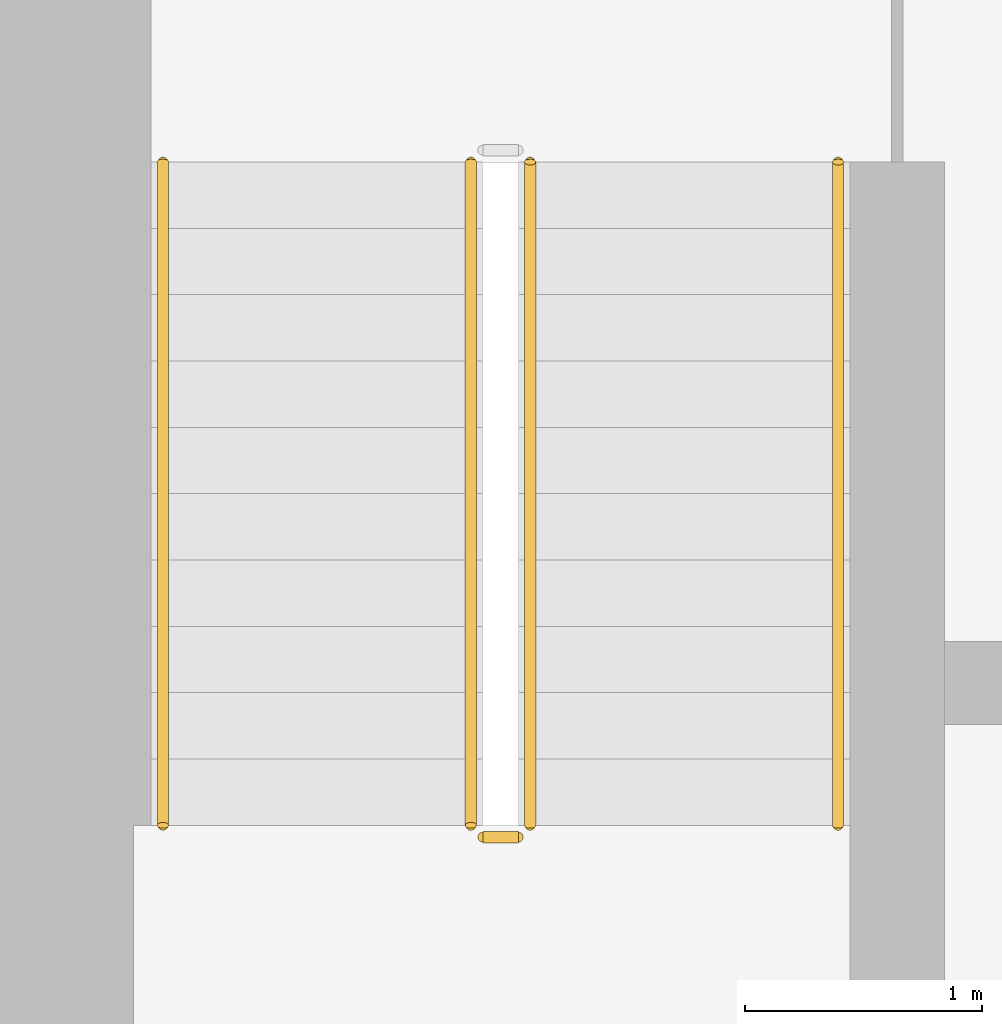
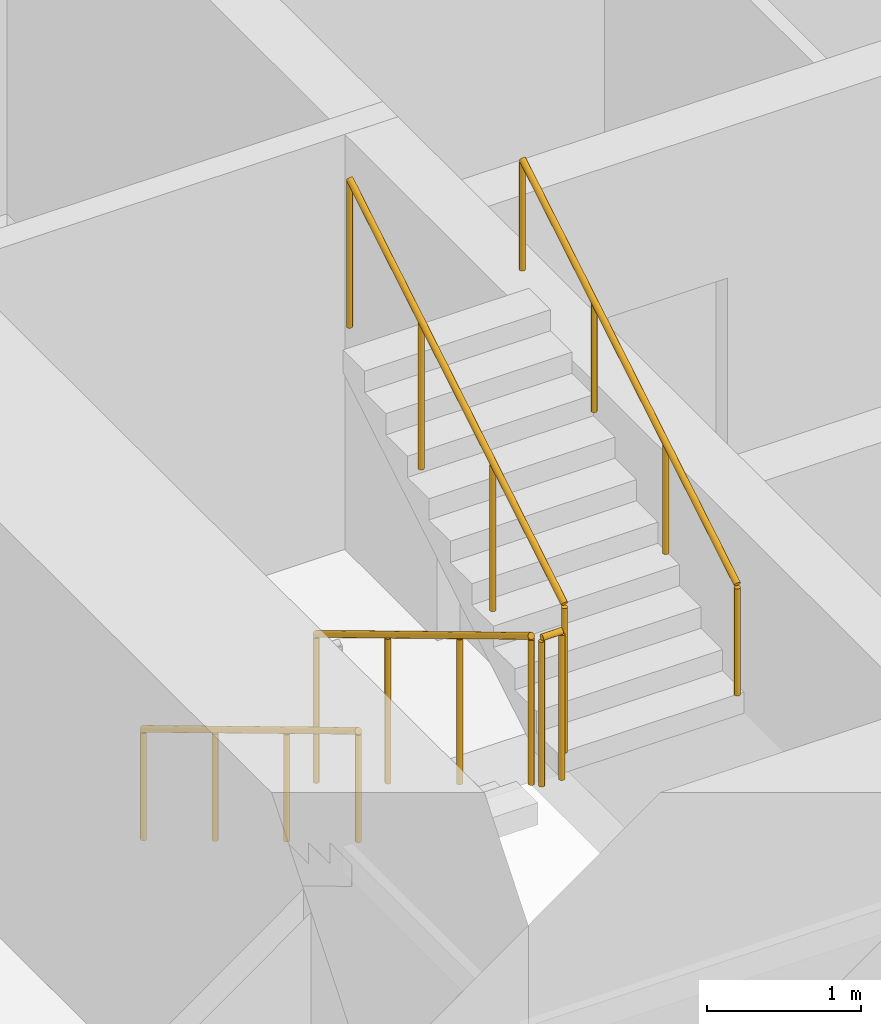
# One storey, part 20 of 26: 5 railings.
"""IFC4 building model written with IfcOpenShell, lengths in metres."""

from ifc_helpers import new_model, si_unit, direction, frame, origin, origin_2d, place, context, subcontext, project, spatial, circle, extrude, material, type_object, element, save


model = new_model("IFC4")

# Units and contexts
model_context = context("Model", 3, precision=1e-05, world=origin(), true_north=direction((0.0, 1.0)))
body_context = subcontext(model_context, "Body", "Model", "MODEL_VIEW")
ifc_project = project(units=[si_unit("LENGTHUNIT", "METRE"), si_unit("AREAUNIT", "SQUARE_METRE"), si_unit("VOLUMEUNIT", "CUBIC_METRE"), si_unit("PLANEANGLEUNIT", "RADIAN"), si_unit("MASSUNIT", "GRAM", prefix="KILO")], contexts=[model_context])

# Site, building, storey
site_placement = place(None, origin())
site = spatial("IfcSite", under=ifc_project, at=site_placement, CompositionType="ELEMENT")
building_placement = place(site_placement, origin())
building = spatial("IfcBuilding", under=site, at=building_placement, Name="Dongbaek Canopy Tower", CompositionType="ELEMENT")
storey_placement = place(building_placement, frame((0.0, 0.0, 69.89990234375)))
storey = spatial("IfcBuildingStorey", under=building, at=storey_placement, Name="L13", CompositionType="ELEMENT", Elevation=69.89990234375)

# Railings
ifc_material_1 = material(Name="Stainless steel tube and balusters", Category="steel")
railing_type_1 = type_object("IfcRailingType", Name="Stair guard 1200", PredefinedType="GUARDRAIL", material=ifc_material_1)
railing_1_placement = place(storey_placement, frame((-11.449951171875, -4.699951171875, 0.168212890625)))
element("IfcRailing", 1, at=railing_1_placement, inside=storey, type_object=railing_type_1, Name="L13 ST-D stair guard 1", PredefinedType="GUARDRAIL", context=body_context, shape_type="SweptSolid", body=[
    extrude(circle(Radius=0.02392578125, at=origin_2d()), frame((0.0, 0.0, 1.17578125), z_axis=(0.0, -0.857242210791, 0.514913383045), x_axis=(1.0, 0.0, 0.0)), (0.0, 0.0, 1.0), 3.266357421875),
    extrude(circle(Radius=0.02099609375, at=origin_2d()), origin(), (0.0, 0.0, 1.0), 1.15185546875),
    extrude(circle(Radius=0.02099609375, at=origin_2d()), frame((0.0, -0.933349609375, 0.560546875)), (0.0, 0.0, 1.0), 1.15185546875),
    extrude(circle(Radius=0.02099609375, at=origin_2d()), frame((0.0, -1.86669921875, 1.121337890625)), (0.0, 0.0, 1.0), 1.15185546875),
    extrude(circle(Radius=0.02099609375, at=origin_2d()), frame((0.0, -2.800048828125, 1.681884765625)), (0.0, 0.0, 1.0), 1.15185546875),
])
railing_2_placement = place(storey_placement, frame((-11.39990234375, -7.550048828125, 1.85009765625)))
element("IfcRailing", 2, at=railing_2_placement, inside=storey, type_object=railing_type_1, Name="L13 ST-D stair guard 2", PredefinedType="GUARDRAIL", context=body_context, shape_type="SweptSolid", body=[
    extrude(circle(Radius=0.02392578125, at=origin_2d()), frame((0.0, 0.0, 1.17578125), z_axis=(1.0, 0.0, 0.0), x_axis=(0.0, 1.0, 0.0)), (0.0, 0.0, 1.0), 0.14990234375),
    extrude(circle(Radius=0.02099609375, at=origin_2d()), origin(), (0.0, 0.0, 1.0), 1.15185546875),
    extrude(circle(Radius=0.02099609375, at=origin_2d()), frame((0.14990234375, 0.0, 0.0)), (0.0, 0.0, 1.0), 1.15185546875),
])
railing_3_placement = place(storey_placement, frame((-11.199951171875, -7.5, 2.018310546875)))
element("IfcRailing", 3, at=railing_3_placement, inside=storey, type_object=railing_type_1, Name="L13 ST-D stair guard 3", PredefinedType="GUARDRAIL", context=body_context, shape_type="SweptSolid", body=[
    extrude(circle(Radius=0.02392578125, at=origin_2d()), frame((0.0, 0.0, 1.17578125), z_axis=(0.0, 0.857242210791, 0.514913383045), x_axis=(-1.0, 0.0, 0.0)), (0.0, 0.0, 1.0), 3.266357421875),
    extrude(circle(Radius=0.02099609375, at=origin_2d()), origin(), (0.0, 0.0, 1.0), 1.15185546875),
    extrude(circle(Radius=0.02099609375, at=origin_2d()), frame((0.0, 0.933349609375, 0.560546875)), (0.0, 0.0, 1.0), 1.15185546875),
    extrude(circle(Radius=0.02099609375, at=origin_2d()), frame((0.0, 1.86669921875, 1.121337890625)), (0.0, 0.0, 1.0), 1.15185546875),
    extrude(circle(Radius=0.02099609375, at=origin_2d()), frame((0.0, 2.800048828125, 1.681884765625)), (0.0, 0.0, 1.0), 1.15185546875),
])
ifc_material_2 = material(Name="Stainless steel tube", Category="steel")
railing_type_2 = type_object("IfcRailingType", Name="Stair handrail 900", PredefinedType="HANDRAIL", material=ifc_material_2)
railing_4_placement = place(storey_placement, frame((-12.75, -4.699951171875, 0.168212890625)))
element("IfcRailing", 4, at=railing_4_placement, inside=storey, type_object=railing_type_2, Name="L13 ST-D stair handrail 1", PredefinedType="HANDRAIL", context=body_context, shape_type="SweptSolid", body=[
    extrude(circle(Radius=0.02392578125, at=origin_2d()), frame((0.0, 0.0, 0.8759765625), z_axis=(0.0, -0.857242210791, 0.514913383045), x_axis=(1.0, 0.0, 0.0)), (0.0, 0.0, 1.0), 3.266357421875),
    extrude(circle(Radius=0.02099609375, at=origin_2d()), origin(), (0.0, 0.0, 1.0), 0.851806640625),
    extrude(circle(Radius=0.02099609375, at=origin_2d()), frame((0.0, -0.933349609375, 0.560546875)), (0.0, 0.0, 1.0), 0.851806640625),
    extrude(circle(Radius=0.02099609375, at=origin_2d()), frame((0.0, -1.86669921875, 1.121337890625)), (0.0, 0.0, 1.0), 0.851806640625),
    extrude(circle(Radius=0.02099609375, at=origin_2d()), frame((0.0, -2.800048828125, 1.681884765625)), (0.0, 0.0, 1.0), 0.851806640625),
])
railing_5_placement = place(storey_placement, frame((-9.89990234375, -7.5, 2.018310546875)))
element("IfcRailing", 5, at=railing_5_placement, inside=storey, type_object=railing_type_2, Name="L13 ST-D stair handrail 2", PredefinedType="HANDRAIL", context=body_context, shape_type="SweptSolid", body=[
    extrude(circle(Radius=0.02392578125, at=origin_2d()), frame((0.0, 0.0, 0.8759765625), z_axis=(0.0, 0.857242210791, 0.514913383045), x_axis=(-1.0, 0.0, 0.0)), (0.0, 0.0, 1.0), 3.266357421875),
    extrude(circle(Radius=0.02099609375, at=origin_2d()), origin(), (0.0, 0.0, 1.0), 0.851806640625),
    extrude(circle(Radius=0.02099609375, at=origin_2d()), frame((0.0, 0.933349609375, 0.560546875)), (0.0, 0.0, 1.0), 0.851806640625),
    extrude(circle(Radius=0.02099609375, at=origin_2d()), frame((0.0, 1.86669921875, 1.121337890625)), (0.0, 0.0, 1.0), 0.851806640625),
    extrude(circle(Radius=0.02099609375, at=origin_2d()), frame((0.0, 2.800048828125, 1.681884765625)), (0.0, 0.0, 1.0), 0.851806640625),
])

save(model, "model.ifc")
